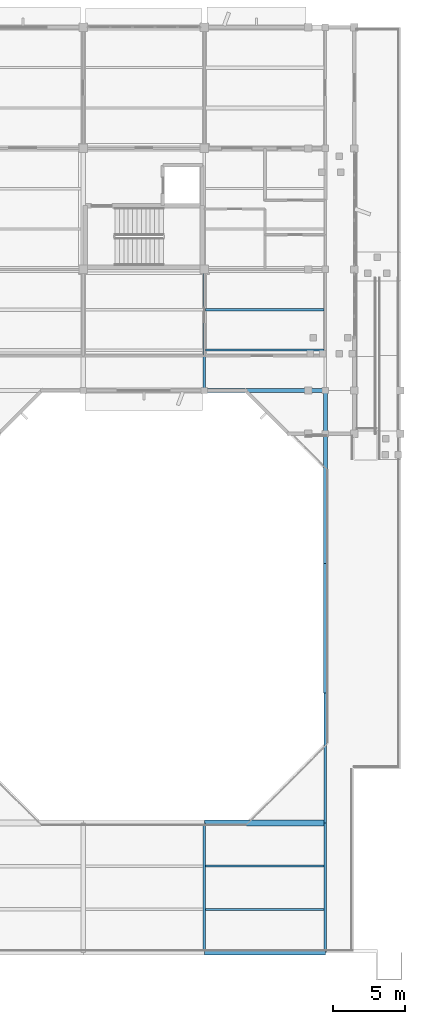
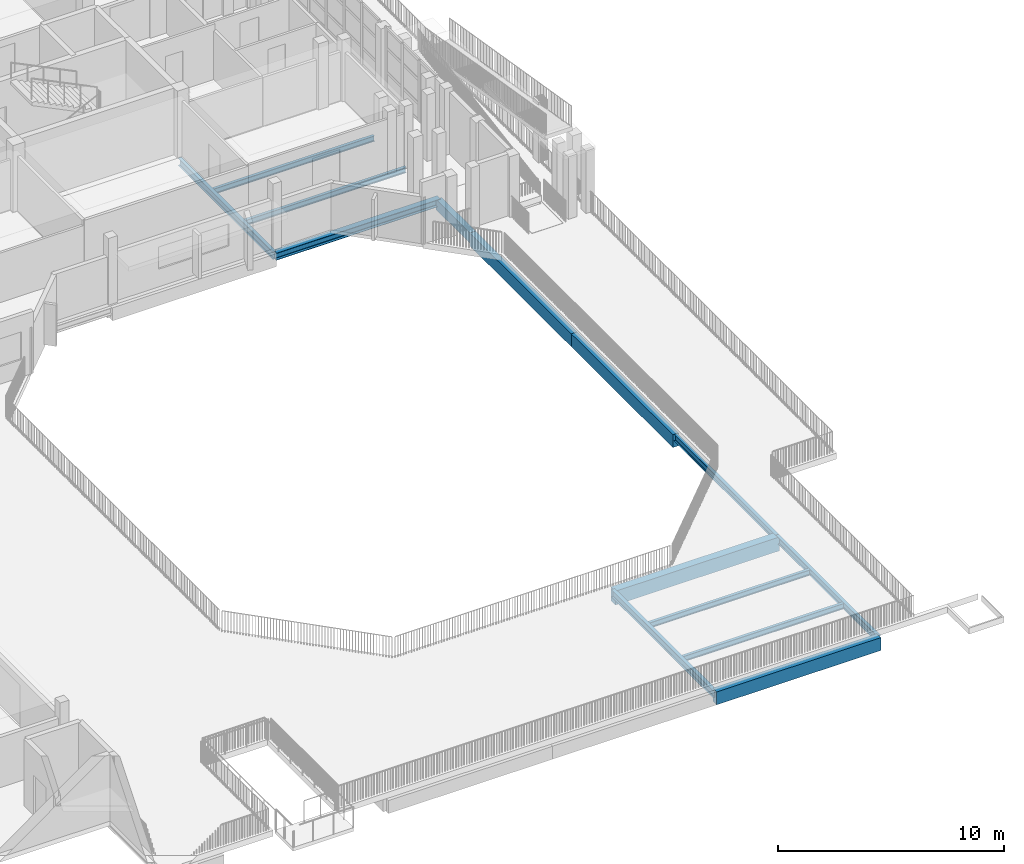
# One storey, part 13 of 42: 14 beams.
"""IFC4 building model written with IfcOpenShell, lengths in metres."""

from ifc_helpers import new_model, si_unit, direction, frame, origin, origin_2d, place, context, subcontext, project, spatial, rectangle, i_section, extrude, material, material_profile, profile_set, type_object, element, save


model = new_model("IFC4")

# Units and contexts
model_context = context("Model", 3, precision=1e-05, world=origin(), true_north=direction((0.0, 1.0)))
body_context = subcontext(model_context, "Body", "Model", "MODEL_VIEW")
ifc_project = project(units=[si_unit("LENGTHUNIT", "METRE"), si_unit("AREAUNIT", "SQUARE_METRE"), si_unit("VOLUMEUNIT", "CUBIC_METRE"), si_unit("PLANEANGLEUNIT", "RADIAN"), si_unit("MASSUNIT", "GRAM", prefix="KILO")], contexts=[model_context])

# Site, building, storey
site_placement = place(None, origin())
site = spatial("IfcSite", under=ifc_project, at=site_placement, CompositionType="ELEMENT")
building_placement = place(site_placement, origin())
building = spatial("IfcBuilding", under=site, at=building_placement, Name="Vanh Quang Courtyard School", CompositionType="ELEMENT")
storey_placement = place(building_placement, frame((0.0, 0.0, 15.0)))
storey = spatial("IfcBuildingStorey", under=building, at=storey_placement, Name="L04", CompositionType="ELEMENT", Elevation=15.0)

# Beams
ifc_material_1 = material(Name="Concrete C35/45", Category="concrete")
ifc_material_profile_1 = material_profile(ifc_material_1, rectangle(XDim=0.300048828125, YDim=0.550048828125, at=origin_2d()), Name="RC-BM 300x550")
ifc_profile_set_1 = profile_set([ifc_material_profile_1], Name="Concrete C35/45")
beam_type_1 = type_object("IfcBeamType", Name="BM-RC-300x550", PredefinedType="BEAM", material=ifc_profile_set_1)
beam_1_placement = place(storey_placement, frame((111.0, 68.39990234375, -0.594970703125), z_axis=(0.0, 1.0, 0.0), x_axis=(-1.0, 0.0, 0.0)))
element("IfcBeam", 1, at=beam_1_placement, inside=storey, type_object=beam_type_1, Name="Beam B-07 (L04)", PredefinedType="BEAM", context=body_context, shape_type="SweptSolid", body=[
    extrude(rectangle(XDim=0.300048828125, YDim=0.550048828125, at=origin_2d()), origin(), (0.0, 0.0, 1.0), 3.0),
])
ifc_material_profile_2 = material_profile(ifc_material_1, rectangle(XDim=0.35009765625, YDim=0.699951171875, at=origin_2d()), Name="RC-BM 350x700")
ifc_profile_set_2 = profile_set([ifc_material_profile_2], Name="Concrete C35/45")
beam_type_2 = type_object("IfcBeamType", Name="BM-RC-350x700", PredefinedType="BEAM", material=ifc_profile_set_2)
beam_2_placement = place(storey_placement, frame((102.60009765625, 32.39990234375, -0.669921875), z_axis=(1.0, 0.0, 0.0), x_axis=(0.0, 1.0, 0.0)))
element("IfcBeam", 2, at=beam_2_placement, inside=storey, type_object=beam_type_2, Name="Beam B-04 (L04)", PredefinedType="BEAM", context=body_context, shape_type="SweptSolid", body=[
    extrude(rectangle(XDim=0.35009765625, YDim=0.699951171875, at=origin_2d()), origin(), (0.0, 0.0, 1.0), 8.39990234375),
])
ifc_material_profile_3 = material_profile(ifc_material_1, rectangle(XDim=0.39990234375, YDim=0.75, at=origin_2d()), Name="RC-BM 400x750")
ifc_profile_set_3 = profile_set([ifc_material_profile_3], Name="Concrete C35/45")
beam_type_3 = type_object("IfcBeamType", Name="BM-RC-400x750", PredefinedType="BEAM", material=ifc_profile_set_3)
beam_3_placement = place(storey_placement, frame((102.60009765625, 41.39990234375, -0.695068359375), z_axis=(1.0, 0.0, 0.0), x_axis=(0.0, 1.0, 0.0)))
element("IfcBeam", 3, at=beam_3_placement, inside=storey, type_object=beam_type_3, Name="Beam B-03 (L04)", PredefinedType="BEAM", context=body_context, shape_type="SweptSolid", body=[
    extrude(rectangle(XDim=0.39990234375, YDim=0.75, at=origin_2d()), origin(), (0.0, 0.0, 1.0), 8.39990234375),
])
ifc_material_profile_4 = material_profile(ifc_material_1, rectangle(XDim=0.300048828125, YDim=0.699951171875, at=origin_2d()), Name="RC-SP 300x700")
ifc_profile_set_4 = profile_set([ifc_material_profile_4], Name="Concrete C35/45")
beam_type_4 = type_object("IfcBeamType", Name="BM-SP-300x700", PredefinedType="SPANDREL", material=ifc_profile_set_4)
for number, where, z_axis, x_axis, name in (
    (4, (111.0, 50.39990234375, -0.669921875), (0.0, 1.0, 0.0), (-1.0, 0.0, 0.0), "Beam BS-01 (L04)"),
    (5, (111.0, 59.39990234375, -0.669921875), (0.0, 1.0, 0.0), (-1.0, 0.0, 0.0), "Beam BS-01 (L04)"),
):
    element("IfcBeam", number, at=place(storey_placement, frame(where, z_axis=z_axis, x_axis=x_axis)), inside=storey, type_object=beam_type_4, Name=name, PredefinedType="SPANDREL", context=body_context, shape_type="SweptSolid", body=[
        extrude(rectangle(XDim=0.300048828125, YDim=0.699951171875, at=origin_2d()), origin(), (0.0, 0.0, 1.0), 9.0),
    ])
ifc_material_2 = material(Name="Structural steel EN 10025-2 S355J2", Category="steel")
ifc_material_profile_5 = material_profile(ifc_material_2, i_section(OverallWidth=0.300048828125, OverallDepth=0.389892578125, WebThickness=0.010986328125, FlangeThickness=0.01904296875, FilletRadius=0.027099609375, at=origin_2d()), Name="HEA 400")
ifc_profile_set_5 = profile_set([ifc_material_profile_5], Name="Structural steel EN 10025-2 S355J2")
beam_type_5 = type_object("IfcBeamType", Name="BM-STL-HEA400", PredefinedType="BEAM", material=ifc_profile_set_5)
beam_4_placement = place(storey_placement, frame((102.60009765625, 71.39990234375, -0.455078125), z_axis=(1.0, 0.0, 0.0), x_axis=(0.0, 1.0, 0.0)))
element("IfcBeam", 6, at=beam_4_placement, inside=storey, type_object=beam_type_5, Name="Beam SB-08 (L04)", PredefinedType="BEAM", context=body_context, shape_type="SweptSolid", body=[
    extrude(i_section(OverallWidth=0.300048828125, OverallDepth=0.389892578125, WebThickness=0.010986328125, FlangeThickness=0.01904296875, FilletRadius=0.027099609375, at=origin_2d()), origin(), (0.0, 0.0, 1.0), 8.39990234375),
])
ifc_material_profile_6 = material_profile(ifc_material_2, i_section(OverallWidth=0.169921875, OverallDepth=0.360107421875, WebThickness=0.008056640625, FlangeThickness=0.0126953125, FilletRadius=0.01806640625, at=origin_2d()), Name="IPE 360")
ifc_profile_set_6 = profile_set([ifc_material_profile_6], Name="Structural steel EN 10025-2 S355J2")
beam_type_6 = type_object("IfcBeamType", Name="BM-STL-IPE360", PredefinedType="BEAM", material=ifc_profile_set_6)
for number, where, z_axis, x_axis, name in (
    (7, (111.0, 32.39990234375, -0.5), (0.0, 1.0, 0.0), (-1.0, 0.0, 0.0), "Beam SB-06 (L04)"),
    (8, (111.0, 41.39990234375, -0.5), (0.0, 1.0, 0.0), (-1.0, 0.0, 0.0), "Beam SB-06 (L04)"),
):
    element("IfcBeam", number, at=place(storey_placement, frame(where, z_axis=z_axis, x_axis=x_axis)), inside=storey, type_object=beam_type_6, Name=name, PredefinedType="BEAM", context=body_context, shape_type="SweptSolid", body=[
        extrude(i_section(OverallWidth=0.169921875, OverallDepth=0.360107421875, WebThickness=0.008056640625, FlangeThickness=0.0126953125, FilletRadius=0.01806640625, at=origin_2d()), origin(), (0.0, 0.0, 1.0), 9.0),
    ])
ifc_material_profile_7 = material_profile(ifc_material_2, i_section(OverallWidth=0.179931640625, OverallDepth=0.39990234375, WebThickness=0.008544921875, FlangeThickness=0.013427734375, FilletRadius=0.02099609375, at=origin_2d()), Name="IPE 400")
ifc_profile_set_7 = profile_set([ifc_material_profile_7], Name="Structural steel EN 10025-2 S355J2")
beam_type_7 = type_object("IfcBeamType", Name="BM-STL-IPE400", PredefinedType="BEAM", material=ifc_profile_set_7)
beam_5_placement = place(storey_placement, frame((102.60009765625, 32.39990234375, -0.52001953125), z_axis=(0.0, 1.0, 0.0), x_axis=(-1.0, 0.0, 0.0)))
element("IfcBeam", 9, at=beam_5_placement, inside=storey, type_object=beam_type_7, Name="Beam SB-05 (L04)", PredefinedType="BEAM", context=body_context, shape_type="SweptSolid", body=[
    extrude(i_section(OverallWidth=0.179931640625, OverallDepth=0.39990234375, WebThickness=0.008544921875, FlangeThickness=0.013427734375, FilletRadius=0.02099609375, at=origin_2d()), origin(), (0.0, 0.0, 1.0), 9.0),
])
beam_6_placement = place(storey_placement, frame((102.60009765625, 71.39990234375, -0.4599609375), z_axis=(0.0, 1.0, 0.0), x_axis=(-1.0, 0.0, 0.0)))
element("IfcBeam", 10, at=beam_6_placement, inside=storey, type_object=beam_type_7, Name="Beam SB-05 (L04)", PredefinedType="BEAM", context=body_context, shape_type="SweptSolid", body=[
    extrude(i_section(OverallWidth=0.179931640625, OverallDepth=0.39990234375, WebThickness=0.008544921875, FlangeThickness=0.013427734375, FilletRadius=0.02099609375, at=origin_2d()), origin(), (0.0, 0.0, 1.0), 8.400146484375),
])
ifc_material_profile_8 = material_profile(ifc_material_2, i_section(OverallWidth=0.14990234375, OverallDepth=0.300048828125, WebThickness=0.007080078125, FlangeThickness=0.0107421875, FilletRadius=0.014892578125, at=origin_2d()), Name="IPE 300")
ifc_profile_set_8 = profile_set([ifc_material_profile_8], Name="Structural steel EN 10025-2 S355J2")
beam_type_8 = type_object("IfcBeamType", Name="JST-STL-IPE300", PredefinedType="JOIST", material=ifc_profile_set_8)
for number, where, z_axis, x_axis, name in (
    (11, (102.68994140625, 35.39990234375, -0.469970703125), (1.0, 0.0, 0.0), (0.0, 1.0, 0.0), "Beam SJ-02 (L04)"),
    (12, (102.68994140625, 38.39990234375, -0.469970703125), (1.0, 0.0, 0.0), (0.0, 1.0, 0.0), "Beam SJ-02 (L04)"),
    (13, (102.68994140625, 74.199951171875, -0.409912109375), (1.0, 0.0, 0.0), (0.0, 1.0, 0.0), "Beam SJ-02 (L04)"),
    (14, (102.68994140625, 77.0, -0.409912109375), (1.0, 0.0, 0.0), (0.0, 1.0, 0.0), "Beam SJ-02 (L04)"),
):
    element("IfcBeam", number, at=place(storey_placement, frame(where, z_axis=z_axis, x_axis=x_axis)), inside=storey, type_object=beam_type_8, Name=name, PredefinedType="JOIST", context=body_context, shape_type="SweptSolid", body=[
        extrude(i_section(OverallWidth=0.14990234375, OverallDepth=0.300048828125, WebThickness=0.007080078125, FlangeThickness=0.0107421875, FilletRadius=0.014892578125, at=origin_2d()), origin(), (0.0, 0.0, 1.0), 8.22509765625),
    ])

save(model, "model.ifc")
